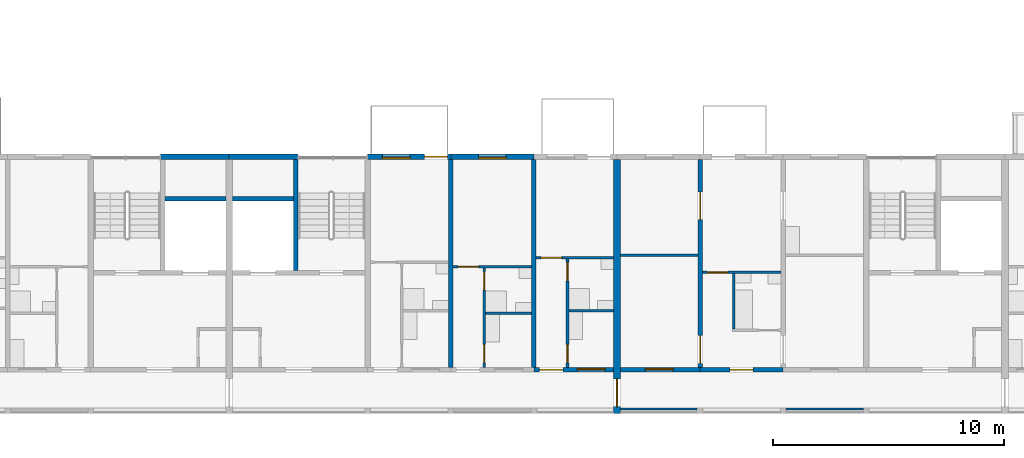
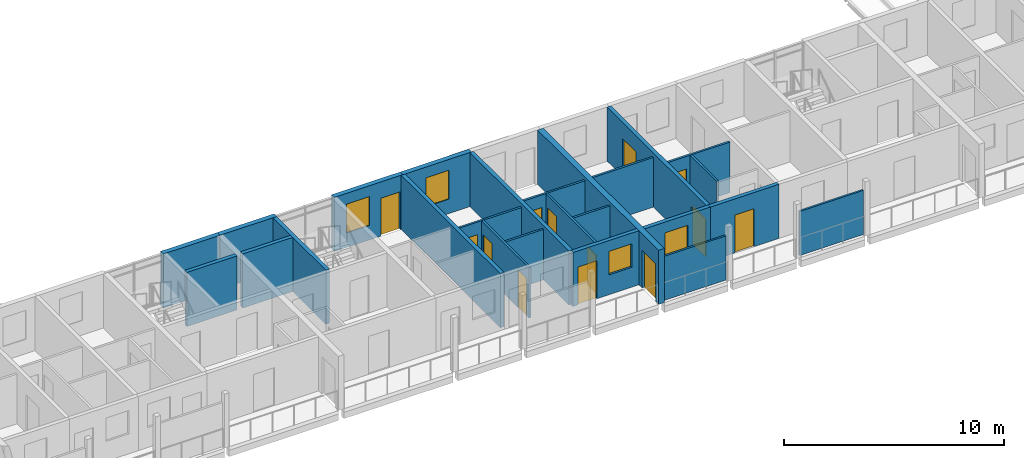
# One storey, part 39 of 87: 25 walls, 13 doors, 4 windows, 17 openings.
"""IFC4 building model written with IfcOpenShell, lengths in metres."""

from ifc_helpers import new_model, si_unit, direction, frame, frame_2d, origin, place, context, subcontext, project, spatial, rectangle, extrude, material, layer, layer_set, type_object, element, fill, save


model = new_model("IFC4")

# Units and contexts
model_context = context("Model", 3, precision=1e-05, world=origin(), true_north=direction((0.0, 1.0)))
body_context = subcontext(model_context, "Body", "Model", "MODEL_VIEW")
ifc_project = project(units=[si_unit("LENGTHUNIT", "METRE"), si_unit("AREAUNIT", "SQUARE_METRE"), si_unit("VOLUMEUNIT", "CUBIC_METRE"), si_unit("PLANEANGLEUNIT", "RADIAN"), si_unit("MASSUNIT", "GRAM", prefix="KILO")], contexts=[model_context])

# Site, building, storey
site_placement = place(None, origin())
site = spatial("IfcSite", under=ifc_project, at=site_placement, CompositionType="ELEMENT")
building_placement = place(site_placement, origin())
building = spatial("IfcBuilding", under=site, at=building_placement, Name="Ridgestep Commons", CompositionType="ELEMENT")
storey_placement = place(building_placement, frame((0.0, 0.0, 27.0)))
storey = spatial("IfcBuildingStorey", under=building, at=storey_placement, Name="L09", CompositionType="ELEMENT", Elevation=27.0)

# Walls
ifc_material_1 = material(Name="Concrete C30/37", Category="concrete")
ifc_layer_1 = layer(ifc_material_1, 0.199951171875)
ifc_layer_set_1 = layer_set([ifc_layer_1], Name="Core wall 200")
wall_type_1 = type_object("IfcWallType", Name="Core wall 200", PredefinedType="SHEAR", material=ifc_layer_set_1)
wall_1_placement = place(storey_placement, frame((42.824951171875, 21.050048828125, 0.0), z_axis=(0.0, 0.0, 1.0), x_axis=(1.0, 0.0, 0.0)))
element("IfcWall", 1, at=wall_1_placement, inside=storey, type_object=wall_type_1, Name="Core duct wall A2C L09", PredefinedType="SHEAR", context=body_context, shape_type="SweptSolid", body=[
    extrude(rectangle(XDim=2.625, YDim=0.199951171875, at=frame_2d((1.3125, 0.0))), origin(), (0.0, 0.0, 1.0), 3.0),
])
wall_2_placement = place(storey_placement, frame((48.47509765625, 17.949951171875, 0.0), z_axis=(0.0, 0.0, 1.0), x_axis=(0.0, 1.0, 0.0)))
element("IfcWall", 2, at=wall_2_placement, inside=storey, type_object=wall_type_1, Name="Core stair wall A3C L09", PredefinedType="SHEAR", context=body_context, shape_type="SweptSolid", body=[
    extrude(rectangle(XDim=4.800048828125, YDim=0.199951171875, at=frame_2d((2.39990234375, 0.0))), origin(), (0.0, 0.0, 1.0), 3.0),
])
wall_3_placement = place(storey_placement, frame((45.75, 21.050048828125, 0.0), z_axis=(0.0, 0.0, 1.0), x_axis=(1.0, 0.0, 0.0)))
element("IfcWall", 3, at=wall_3_placement, inside=storey, type_object=wall_type_1, Name="Core duct wall A3C L09", PredefinedType="SHEAR", context=body_context, shape_type="SweptSolid", body=[
    extrude(rectangle(XDim=2.625, YDim=0.199951171875, at=frame_2d((1.3125, 0.0))), origin(), (0.0, 0.0, 1.0), 3.0),
])
ifc_material_2 = material(Name="Precast concrete C40/50", Category="concrete")
ifc_layer_2 = layer(ifc_material_2, 0.199951171875)
ifc_layer_set_2 = layer_set([ifc_layer_2], Name="Cross wall 200")
wall_type_2 = type_object("IfcWallType", Name="Cross wall 200", PredefinedType="SHEAR", material=ifc_layer_set_2)
for number, where, z_axis, x_axis, name in (
    (4, (55.199951171875, 13.75, 0.0), (0.0, 0.0, 1.0), (0.0, 1.0, 0.0), "Cross wall A-09-0552"),
    (5, (58.800048828125, 13.75, 0.0), (0.0, 0.0, 1.0), (0.0, 1.0, 0.0), "Cross wall A-09-0588"),
):
    element("IfcWall", number, at=place(storey_placement, frame(where, z_axis=z_axis, x_axis=x_axis)), inside=storey, type_object=wall_type_2, Name=name, PredefinedType="SHEAR", context=body_context, shape_type="SweptSolid", body=[
        extrude(rectangle(XDim=9.0, YDim=0.199951171875, at=frame_2d((4.5, 0.0))), origin(), (0.0, 0.0, 1.0), 3.0),
    ])

# Wall, openings, doors
wall_4_placement = place(storey_placement, frame((66.0, 13.75, 0.0), z_axis=(0.0, 0.0, 1.0), x_axis=(0.0, 1.0, 0.0)))
wall_4 = element("IfcWall", 6, at=wall_4_placement, inside=storey, type_object=wall_type_2, Name="Cross wall A-09-0660", PredefinedType="SHEAR", context=body_context, shape_type="SweptSolid", body=[
    extrude(rectangle(XDim=9.0, YDim=0.199951171875, at=frame_2d((4.5, 0.0))), origin(), (0.0, 0.0, 1.0), 3.0),
])
opening_1_placement = place(wall_4_placement, frame((0.175048828125, 0.0, 0.0)))
opening_1 = element("IfcOpeningElement", 7, at=opening_1_placement, cuts=wall_4, Name="Opening A4-09a/4", PredefinedType="OPENING", context=body_context, shape_type="SweptSolid", body=[
    extrude(rectangle(XDim=1.199951171875, YDim=2.10009765625, at=frame_2d((0.60009765625, 1.050048828125))), frame((0.0, 0.10986328125, 0.0), z_axis=(0.0, -1.0, 0.0), x_axis=(1.0, 0.0, 0.0)), (0.0, 0.0, 1.0), 0.219970703125),
])
opening_2_placement = place(wall_4_placement, frame((6.39990234375, 0.0, 0.0)))
opening_2 = element("IfcOpeningElement", 8, at=opening_2_placement, cuts=wall_4, Name="Opening A4-09a/5", PredefinedType="OPENING", context=body_context, shape_type="SweptSolid", body=[
    extrude(rectangle(XDim=1.199951171875, YDim=2.10009765625, at=frame_2d((0.60009765625, 1.050048828125))), frame((0.0, 0.10986328125, 0.0), z_axis=(0.0, -1.0, 0.0), x_axis=(1.0, 0.0, 0.0)), (0.0, 0.0, 1.0), 0.219970703125),
])
ifc_material_3 = material(Name="Timber door leaf", Category="wood")
door_type_1 = type_object("IfcDoorType", Name="Double door 1200 x 2100", OperationType="DOUBLE_DOOR_SINGLE_SWING", PredefinedType="DOOR", material=ifc_material_3)
door_1_placement = place(opening_1_placement, origin())
door_1 = element("IfcDoor", 9, at=door_1_placement, inside=storey, type_object=door_type_1, Name="Double door A4-09a/4", OperationType="DOUBLE_DOOR_SINGLE_SWING", OverallHeight=2.10009765625, OverallWidth=1.199951171875, PredefinedType="DOOR", context=body_context, shape_type="SweptSolid", body=[
    extrude(rectangle(XDim=1.199951171875, YDim=2.10009765625, at=frame_2d((0.60009765625, 1.050048828125))), frame((0.0, 0.02490234375, 0.0), z_axis=(0.0, -1.0, 0.0), x_axis=(1.0, 0.0, 0.0)), (0.0, 0.0, 1.0), 0.050048828125),
])
fill(opening_1, door_1)
door_2_placement = place(opening_2_placement, origin())
door_2 = element("IfcDoor", 10, at=door_2_placement, inside=storey, type_object=door_type_1, Name="Double door A4-09a/5", OperationType="DOUBLE_DOOR_SINGLE_SWING", OverallHeight=2.10009765625, OverallWidth=1.199951171875, PredefinedType="DOOR", context=body_context, shape_type="SweptSolid", body=[
    extrude(rectangle(XDim=1.199951171875, YDim=2.10009765625, at=frame_2d((0.60009765625, 1.050048828125))), frame((0.0, 0.02490234375, 0.0), z_axis=(0.0, -1.0, 0.0), x_axis=(1.0, 0.0, 0.0)), (0.0, 0.0, 1.0), 0.050048828125),
])
fill(opening_2, door_2)

# Wall, opening, door
ifc_material_4 = material(Name="Precast concrete C40/50", Category="concrete")
ifc_layer_3 = layer(ifc_material_4, 0.300048828125)
ifc_layer_set_3 = layer_set([ifc_layer_3], Name="Division wall 300")
wall_type_3 = type_object("IfcWallType", Name="Division wall 300", PredefinedType="SHEAR", material=ifc_layer_set_3)
wall_5_placement = place(storey_placement, frame((62.39990234375, 11.75, 0.0), z_axis=(0.0, 0.0, 1.0), x_axis=(0.0, 1.0, 0.0)))
wall_5 = element("IfcWall", 11, at=wall_5_placement, inside=storey, type_object=wall_type_3, Name="Cross wall A-09-0624", PredefinedType="SHEAR", context=body_context, shape_type="SweptSolid", body=[
    extrude(rectangle(XDim=11.0, YDim=0.300048828125, at=frame_2d((5.5, 0.0))), origin(), (0.0, 0.0, 1.0), 3.0),
])
opening_3_placement = place(wall_5_placement, frame((0.300048828125, 0.0, 0.0)))
opening_3 = element("IfcOpeningElement", 12, at=opening_3_placement, cuts=wall_5, Name="Opening A/09/G0624", PredefinedType="OPENING", context=body_context, shape_type="SweptSolid", body=[
    extrude(rectangle(XDim=1.199951171875, YDim=2.10009765625, at=frame_2d((0.60009765625, 1.050048828125))), frame((0.0, 0.159912109375, 0.0), z_axis=(0.0, -1.0, 0.0), x_axis=(1.0, 0.0, 0.0)), (0.0, 0.0, 1.0), 0.320068359375),
])
ifc_material_5 = material(Name="Steel fire door", Category="steel")
door_type_2 = type_object("IfcDoorType", Name="Division fire door 1200 x 2100 EI 240", OperationType="DOUBLE_DOOR_SINGLE_SWING", PredefinedType="DOOR", material=ifc_material_5)
door_3_placement = place(opening_3_placement, origin())
door_3 = element("IfcDoor", 13, at=door_3_placement, inside=storey, type_object=door_type_2, Name="Division fire door A/09/G0624", OperationType="DOUBLE_DOOR_SINGLE_SWING", OverallHeight=2.10009765625, OverallWidth=1.199951171875, PredefinedType="DOOR", context=body_context, shape_type="SweptSolid", body=[
    extrude(rectangle(XDim=1.199951171875, YDim=2.10009765625, at=frame_2d((0.60009765625, 1.050048828125))), frame((0.0, 0.02490234375, 0.0), z_axis=(0.0, -1.0, 0.0), x_axis=(1.0, 0.0, 0.0)), (0.0, 0.0, 1.0), 0.050048828125),
])
fill(opening_3, door_3)

# Walls
ifc_material_6 = material(Name="Precast concrete C40/50", Category="concrete")
ifc_layer_4 = layer(ifc_material_6, 0.25)
ifc_layer_set_4 = layer_set([ifc_layer_4], Name="North facade panel 250")
wall_type_4 = type_object("IfcWallType", Name="North facade panel 250", PredefinedType="SOLIDWALL", material=ifc_layer_set_4)
wall_6_placement = place(storey_placement, frame((42.625, 22.875, 0.0), z_axis=(0.0, 0.0, 1.0), x_axis=(1.0, 0.0, 0.0)))
element("IfcWall", 14, at=wall_6_placement, inside=storey, type_object=wall_type_4, Name="North panel A2C L09", PredefinedType="SOLIDWALL", context=body_context, shape_type="SweptSolid", body=[
    extrude(rectangle(XDim=2.97509765625, YDim=0.25, at=frame_2d((1.487548828125, 0.0))), origin(), (0.0, 0.0, 1.0), 3.0),
])
wall_7_placement = place(storey_placement, frame((45.60009765625, 22.875, 0.0), z_axis=(0.0, 0.0, 1.0), x_axis=(1.0, 0.0, 0.0)))
element("IfcWall", 15, at=wall_7_placement, inside=storey, type_object=wall_type_4, Name="North panel A3C L09", PredefinedType="SOLIDWALL", context=body_context, shape_type="SweptSolid", body=[
    extrude(rectangle(XDim=2.974853515625, YDim=0.25, at=frame_2d((1.4873046875, 0.0))), origin(), (0.0, 0.0, 1.0), 3.0),
])

# Wall, openings, door, window
wall_8_placement = place(storey_placement, frame((51.60009765625, 22.875, 0.0), z_axis=(0.0, 0.0, 1.0), x_axis=(1.0, 0.0, 0.0)))
wall_8 = element("IfcWall", 16, at=wall_8_placement, inside=storey, type_object=wall_type_4, Name="North panel A3T3 L09", PredefinedType="SOLIDWALL", context=body_context, shape_type="SweptSolid", body=[
    extrude(rectangle(XDim=3.599853515625, YDim=0.25, at=frame_2d((1.7998046875, 0.0))), origin(), (0.0, 0.0, 1.0), 3.0),
])
opening_4_placement = place(wall_8_placement, frame((0.637451171875, 0.0, 0.800048828125)))
opening_4 = element("IfcOpeningElement", 17, at=opening_4_placement, cuts=wall_8, Name="Opening W11", PredefinedType="OPENING", context=body_context, shape_type="SweptSolid", body=[
    extrude(rectangle(XDim=1.199951171875, YDim=1.60009765625, at=frame_2d((0.60009765625, 0.800048828125))), frame((0.0, 0.135009765625, 0.0), z_axis=(0.0, -1.0, 0.0), x_axis=(1.0, 0.0, 0.0)), (0.0, 0.0, 1.0), 0.27001953125),
])
opening_5_placement = place(wall_8_placement, frame((2.449951171875, 0.0, 0.0)))
opening_5 = element("IfcOpeningElement", 18, at=opening_5_placement, cuts=wall_8, Name="Opening A3-09c/5", PredefinedType="OPENING", context=body_context, shape_type="SweptSolid", body=[
    extrude(rectangle(XDim=1.0, YDim=2.10009765625, at=frame_2d((0.5, 1.050048828125))), frame((0.0, 0.135009765625, 0.0), z_axis=(0.0, -1.0, 0.0), x_axis=(1.0, 0.0, 0.0)), (0.0, 0.0, 1.0), 0.27001953125),
])
ifc_material_7 = material(Name="Aluminium and glass", Category="aluminium")
door_type_3 = type_object("IfcDoorType", Name="Balcony door 1000 x 2100", OperationType="NOTDEFINED", PredefinedType="DOOR", material=ifc_material_7)
door_4_placement = place(opening_5_placement, origin())
door_4 = element("IfcDoor", 19, at=door_4_placement, inside=storey, type_object=door_type_3, Name="Balcony door A3-09c/5", OperationType="SINGLE_SWING_LEFT", OverallHeight=2.10009765625, OverallWidth=1.0, PredefinedType="DOOR", context=body_context, shape_type="SweptSolid", body=[
    extrude(rectangle(XDim=1.0, YDim=2.10009765625, at=frame_2d((0.5, 1.050048828125))), frame((0.0, 0.02490234375, 0.0), z_axis=(0.0, -1.0, 0.0), x_axis=(1.0, 0.0, 0.0)), (0.0, 0.0, 1.0), 0.050048828125),
])
fill(opening_5, door_4)
ifc_material_8 = material(Name="Aluminium 6063-T6 and glass", Category="aluminium")
window_type_1 = type_object("IfcWindowType", Name="Flat window 1200 x 1600", PartitioningType="SINGLE_PANEL", PredefinedType="WINDOW", material=ifc_material_8)
window_1_placement = place(opening_4_placement, origin())
window_1 = element("IfcWindow", 20, at=window_1_placement, inside=storey, type_object=window_type_1, Name="Window A3-09c 2", OverallHeight=1.60009765625, OverallWidth=1.199951171875, PartitioningType="SINGLE_PANEL", PredefinedType="WINDOW", context=body_context, shape_type="SweptSolid", body=[
    extrude(rectangle(XDim=1.199951171875, YDim=1.60009765625, at=frame_2d((0.60009765625, 0.800048828125))), frame((0.0, -0.02490234375, 0.0), z_axis=(0.0, -1.0, 0.0), x_axis=(1.0, 0.0, 0.0)), (0.0, 0.0, 1.0), 0.06005859375),
])
fill(opening_4, window_1)

# Wall, opening, window
wall_9_placement = place(storey_placement, frame((55.199951171875, 22.875, 0.0), z_axis=(0.0, 0.0, 1.0), x_axis=(1.0, 0.0, 0.0)))
wall_9 = element("IfcWall", 21, at=wall_9_placement, inside=storey, type_object=wall_type_4, Name="North panel A3T2 L09", PredefinedType="SOLIDWALL", context=body_context, shape_type="SweptSolid", body=[
    extrude(rectangle(XDim=3.60009765625, YDim=0.25, at=frame_2d((1.800048828125, 0.0))), origin(), (0.0, 0.0, 1.0), 3.0),
])
opening_6_placement = place(wall_9_placement, frame((1.199951171875, 0.0, 0.800048828125)))
opening_6 = element("IfcOpeningElement", 22, at=opening_6_placement, cuts=wall_9, Name="Opening W11", PredefinedType="OPENING", context=body_context, shape_type="SweptSolid", body=[
    extrude(rectangle(XDim=1.199951171875, YDim=1.60009765625, at=frame_2d((0.60009765625, 0.800048828125))), frame((0.0, 0.135009765625, 0.0), z_axis=(0.0, -1.0, 0.0), x_axis=(1.0, 0.0, 0.0)), (0.0, 0.0, 1.0), 0.27001953125),
])
window_2_placement = place(opening_6_placement, origin())
window_2 = element("IfcWindow", 23, at=window_2_placement, inside=storey, type_object=window_type_1, Name="Window A3-09b 2", OverallHeight=1.60009765625, OverallWidth=1.199951171875, PartitioningType="SINGLE_PANEL", PredefinedType="WINDOW", context=body_context, shape_type="SweptSolid", body=[
    extrude(rectangle(XDim=1.199951171875, YDim=1.60009765625, at=frame_2d((0.60009765625, 0.800048828125))), frame((0.0, -0.02490234375, 0.0), z_axis=(0.0, -1.0, 0.0), x_axis=(1.0, 0.0, 0.0)), (0.0, 0.0, 1.0), 0.06005859375),
])
fill(opening_6, window_2)

# Wall, openings, doors
ifc_material_9 = material(Name="Common brick 110 mm", Category="masonry")
ifc_layer_5 = layer(ifc_material_9, 0.110107421875)
ifc_layer_set_5 = layer_set([ifc_layer_5], Name="Partition 110")
wall_type_5 = type_object("IfcWallType", Name="Partition 110", PredefinedType="PARTITIONING", material=ifc_layer_set_5)
wall_10_placement = place(storey_placement, frame((60.2548828125, 13.75, 0.0), z_axis=(0.0, 0.0, 1.0), x_axis=(0.0, 1.0, 0.0)))
wall_10 = element("IfcWall", 24, at=wall_10_placement, inside=storey, type_object=wall_type_5, Name="Partition A3-09a", PredefinedType="PARTITIONING", context=body_context, shape_type="SweptSolid", body=[
    extrude(rectangle(XDim=4.699951171875, YDim=0.110107421875, at=frame_2d((2.35009765625, 0.0))), origin(), (0.0, 0.0, 1.0), 2.800048828125),
])
opening_7_placement = place(wall_10_placement, frame((0.199951171875, 0.0, 0.0)))
opening_7 = element("IfcOpeningElement", 25, at=opening_7_placement, cuts=wall_10, Name="Opening A3-09a/2", PredefinedType="OPENING", context=body_context, shape_type="SweptSolid", body=[
    extrude(rectangle(XDim=0.800048828125, YDim=2.10009765625, at=frame_2d((0.39990234375, 1.050048828125))), frame((0.0, 0.06494140625, 0.0), z_axis=(0.0, -1.0, 0.0), x_axis=(1.0, 0.0, 0.0)), (0.0, 0.0, 1.0), 0.130126953125),
])
opening_8_placement = place(wall_10_placement, frame((3.75, 0.0, 0.0)))
opening_8 = element("IfcOpeningElement", 26, at=opening_8_placement, cuts=wall_10, Name="Opening A3-09a/3", PredefinedType="OPENING", context=body_context, shape_type="SweptSolid", body=[
    extrude(rectangle(XDim=0.800048828125, YDim=2.10009765625, at=frame_2d((0.39990234375, 1.050048828125))), frame((0.0, 0.06494140625, 0.0), z_axis=(0.0, -1.0, 0.0), x_axis=(1.0, 0.0, 0.0)), (0.0, 0.0, 1.0), 0.130126953125),
])
ifc_material_10 = material(Name="Timber door leaf", Category="wood")
door_type_4 = type_object("IfcDoorType", Name="Internal door 800 x 2100", OperationType="NOTDEFINED", PredefinedType="DOOR", material=ifc_material_10)
door_5_placement = place(opening_7_placement, origin())
door_5 = element("IfcDoor", 27, at=door_5_placement, inside=storey, type_object=door_type_4, Name="Internal door A3-09a/2", OperationType="SINGLE_SWING_RIGHT", OverallHeight=2.10009765625, OverallWidth=0.800048828125, PredefinedType="DOOR", context=body_context, shape_type="SweptSolid", body=[
    extrude(rectangle(XDim=0.800048828125, YDim=2.10009765625, at=frame_2d((0.39990234375, 1.050048828125))), frame((0.0, 0.02490234375, 0.0), z_axis=(0.0, -1.0, 0.0), x_axis=(1.0, 0.0, 0.0)), (0.0, 0.0, 1.0), 0.050048828125),
])
fill(opening_7, door_5)
door_6_placement = place(opening_8_placement, origin())
door_6 = element("IfcDoor", 28, at=door_6_placement, inside=storey, type_object=door_type_4, Name="Internal door A3-09a/3", OperationType="SINGLE_SWING_LEFT", OverallHeight=2.10009765625, OverallWidth=0.800048828125, PredefinedType="DOOR", context=body_context, shape_type="SweptSolid", body=[
    extrude(rectangle(XDim=0.800048828125, YDim=2.10009765625, at=frame_2d((0.39990234375, 1.050048828125))), frame((0.0, 0.02490234375, 0.0), z_axis=(0.0, -1.0, 0.0), x_axis=(1.0, 0.0, 0.0)), (0.0, 0.0, 1.0), 0.050048828125),
])
fill(opening_8, door_6)

# Wall
wall_11_placement = place(storey_placement, frame((60.31005859375, 16.205078125, 0.0), z_axis=(0.0, 0.0, 1.0), x_axis=(1.0, 0.0, 0.0)))
element("IfcWall", 29, at=wall_11_placement, inside=storey, type_object=wall_type_5, Name="Partition A3-09a", PredefinedType="PARTITIONING", context=body_context, shape_type="SweptSolid", body=[
    extrude(rectangle(XDim=1.93994140625, YDim=0.110107421875, at=frame_2d((0.969970703125, 0.0))), origin(), (0.0, 0.0, 1.0), 2.800048828125),
])

# Wall, opening, door
wall_12_placement = place(storey_placement, frame((58.89990234375, 18.5048828125, 0.0), z_axis=(0.0, 0.0, 1.0), x_axis=(1.0, 0.0, 0.0)))
wall_12 = element("IfcWall", 30, at=wall_12_placement, inside=storey, type_object=wall_type_5, Name="Partition A3-09a", PredefinedType="PARTITIONING", context=body_context, shape_type="SweptSolid", body=[
    extrude(rectangle(XDim=3.35009765625, YDim=0.110107421875, at=frame_2d((1.675048828125, 0.0))), origin(), (0.0, 0.0, 1.0), 2.800048828125),
])
opening_9_placement = place(wall_12_placement, frame((0.199951171875, 0.0, 0.0)))
opening_9 = element("IfcOpeningElement", 31, at=opening_9_placement, cuts=wall_12, Name="Opening A3-09a/4", PredefinedType="OPENING", context=body_context, shape_type="SweptSolid", body=[
    extrude(rectangle(XDim=0.89990234375, YDim=2.10009765625, at=frame_2d((0.449951171875, 1.050048828125))), frame((0.0, 0.06494140625, 0.0), z_axis=(0.0, -1.0, 0.0), x_axis=(1.0, 0.0, 0.0)), (0.0, 0.0, 1.0), 0.130126953125),
])
ifc_material_11 = material(Name="Timber door leaf", Category="wood")
door_type_5 = type_object("IfcDoorType", Name="Internal door 900 x 2100", OperationType="NOTDEFINED", PredefinedType="DOOR", material=ifc_material_11)
door_7_placement = place(opening_9_placement, origin())
door_7 = element("IfcDoor", 32, at=door_7_placement, inside=storey, type_object=door_type_5, Name="Internal door A3-09a/4", OperationType="SINGLE_SWING_LEFT", OverallHeight=2.10009765625, OverallWidth=0.89990234375, PredefinedType="DOOR", context=body_context, shape_type="SweptSolid", body=[
    extrude(rectangle(XDim=0.89990234375, YDim=2.10009765625, at=frame_2d((0.449951171875, 1.050048828125))), frame((0.0, 0.02490234375, 0.0), z_axis=(0.0, -1.0, 0.0), x_axis=(1.0, 0.0, 0.0)), (0.0, 0.0, 1.0), 0.050048828125),
])
fill(opening_9, door_7)

# Wall, openings, doors
wall_13_placement = place(storey_placement, frame((56.655029296875, 13.75, 0.0), z_axis=(0.0, 0.0, 1.0), x_axis=(0.0, 1.0, 0.0)))
wall_13 = element("IfcWall", 33, at=wall_13_placement, inside=storey, type_object=wall_type_5, Name="Partition A3-09b", PredefinedType="PARTITIONING", context=body_context, shape_type="SweptSolid", body=[
    extrude(rectangle(XDim=4.300048828125, YDim=0.110107421875, at=frame_2d((2.14990234375, 0.0))), origin(), (0.0, 0.0, 1.0), 2.800048828125),
])
opening_10_placement = place(wall_13_placement, frame((0.199951171875, 0.0, 0.0)))
opening_10 = element("IfcOpeningElement", 34, at=opening_10_placement, cuts=wall_13, Name="Opening A3-09b/2", PredefinedType="OPENING", context=body_context, shape_type="SweptSolid", body=[
    extrude(rectangle(XDim=0.800048828125, YDim=2.10009765625, at=frame_2d((0.39990234375, 1.050048828125))), frame((0.0, 0.06494140625, 0.0), z_axis=(0.0, -1.0, 0.0), x_axis=(1.0, 0.0, 0.0)), (0.0, 0.0, 1.0), 0.130126953125),
])
opening_11_placement = place(wall_13_placement, frame((3.35009765625, 0.0, 0.0)))
opening_11 = element("IfcOpeningElement", 35, at=opening_11_placement, cuts=wall_13, Name="Opening A3-09b/3", PredefinedType="OPENING", context=body_context, shape_type="SweptSolid", body=[
    extrude(rectangle(XDim=0.800048828125, YDim=2.10009765625, at=frame_2d((0.39990234375, 1.050048828125))), frame((0.0, 0.06494140625, 0.0), z_axis=(0.0, -1.0, 0.0), x_axis=(1.0, 0.0, 0.0)), (0.0, 0.0, 1.0), 0.130126953125),
])
door_8_placement = place(opening_10_placement, origin())
door_8 = element("IfcDoor", 36, at=door_8_placement, inside=storey, type_object=door_type_4, Name="Internal door A3-09b/2", OperationType="SINGLE_SWING_RIGHT", OverallHeight=2.10009765625, OverallWidth=0.800048828125, PredefinedType="DOOR", context=body_context, shape_type="SweptSolid", body=[
    extrude(rectangle(XDim=0.800048828125, YDim=2.10009765625, at=frame_2d((0.39990234375, 1.050048828125))), frame((0.0, 0.02490234375, 0.0), z_axis=(0.0, -1.0, 0.0), x_axis=(1.0, 0.0, 0.0)), (0.0, 0.0, 1.0), 0.050048828125),
])
fill(opening_10, door_8)
door_9_placement = place(opening_11_placement, origin())
door_9 = element("IfcDoor", 37, at=door_9_placement, inside=storey, type_object=door_type_4, Name="Internal door A3-09b/3", OperationType="SINGLE_SWING_LEFT", OverallHeight=2.10009765625, OverallWidth=0.800048828125, PredefinedType="DOOR", context=body_context, shape_type="SweptSolid", body=[
    extrude(rectangle(XDim=0.800048828125, YDim=2.10009765625, at=frame_2d((0.39990234375, 1.050048828125))), frame((0.0, 0.02490234375, 0.0), z_axis=(0.0, -1.0, 0.0), x_axis=(1.0, 0.0, 0.0)), (0.0, 0.0, 1.0), 0.050048828125),
])
fill(opening_11, door_9)

# Wall
wall_14_placement = place(storey_placement, frame((56.7099609375, 16.10498046875, 0.0), z_axis=(0.0, 0.0, 1.0), x_axis=(1.0, 0.0, 0.0)))
element("IfcWall", 38, at=wall_14_placement, inside=storey, type_object=wall_type_5, Name="Partition A3-09b", PredefinedType="PARTITIONING", context=body_context, shape_type="SweptSolid", body=[
    extrude(rectangle(XDim=1.989990234375, YDim=0.110107421875, at=frame_2d((0.9951171875, 0.0))), origin(), (0.0, 0.0, 1.0), 2.800048828125),
])

# Wall, opening, door
wall_15_placement = place(storey_placement, frame((55.300048828125, 18.10498046875, 0.0), z_axis=(0.0, 0.0, 1.0), x_axis=(1.0, 0.0, 0.0)))
wall_15 = element("IfcWall", 39, at=wall_15_placement, inside=storey, type_object=wall_type_5, Name="Partition A3-09b", PredefinedType="PARTITIONING", context=body_context, shape_type="SweptSolid", body=[
    extrude(rectangle(XDim=3.39990234375, YDim=0.110107421875, at=frame_2d((1.699951171875, 0.0))), origin(), (0.0, 0.0, 1.0), 2.800048828125),
])
opening_12_placement = place(wall_15_placement, frame((0.199951171875, 0.0, 0.0)))
opening_12 = element("IfcOpeningElement", 40, at=opening_12_placement, cuts=wall_15, Name="Opening A3-09b/4", PredefinedType="OPENING", context=body_context, shape_type="SweptSolid", body=[
    extrude(rectangle(XDim=0.89990234375, YDim=2.10009765625, at=frame_2d((0.449951171875, 1.050048828125))), frame((0.0, 0.06494140625, 0.0), z_axis=(0.0, -1.0, 0.0), x_axis=(1.0, 0.0, 0.0)), (0.0, 0.0, 1.0), 0.130126953125),
])
door_10_placement = place(opening_12_placement, origin())
door_10 = element("IfcDoor", 41, at=door_10_placement, inside=storey, type_object=door_type_5, Name="Internal door A3-09b/4", OperationType="SINGLE_SWING_LEFT", OverallHeight=2.10009765625, OverallWidth=0.89990234375, PredefinedType="DOOR", context=body_context, shape_type="SweptSolid", body=[
    extrude(rectangle(XDim=0.89990234375, YDim=2.10009765625, at=frame_2d((0.449951171875, 1.050048828125))), frame((0.0, 0.02490234375, 0.0), z_axis=(0.0, -1.0, 0.0), x_axis=(1.0, 0.0, 0.0)), (0.0, 0.0, 1.0), 0.050048828125),
])
fill(opening_12, door_10)

# Wall
wall_16_placement = place(storey_placement, frame((67.455078125, 15.409912109375, 0.0), z_axis=(0.0, 0.0, 1.0), x_axis=(0.0, 1.0, 0.0)))
element("IfcWall", 42, at=wall_16_placement, inside=storey, type_object=wall_type_5, Name="Partition A4-09a", PredefinedType="PARTITIONING", context=body_context, shape_type="SweptSolid", body=[
    extrude(rectangle(XDim=2.400146484375, YDim=0.110107421875, at=frame_2d((1.2001953125, 0.0))), origin(), (0.0, 0.0, 1.0), 2.800048828125),
])

# Wall, opening, door
wall_17_placement = place(storey_placement, frame((66.10009765625, 17.864990234375, 0.0), z_axis=(0.0, 0.0, 1.0), x_axis=(1.0, 0.0, 0.0)))
wall_17 = element("IfcWall", 43, at=wall_17_placement, inside=storey, type_object=wall_type_5, Name="Partition A4-09a", PredefinedType="PARTITIONING", context=body_context, shape_type="SweptSolid", body=[
    extrude(rectangle(XDim=3.39990234375, YDim=0.110107421875, at=frame_2d((1.699951171875, 0.0))), origin(), (0.0, 0.0, 1.0), 2.800048828125),
])
opening_13_placement = place(wall_17_placement, frame((0.199951171875, 0.0, 0.0)))
opening_13 = element("IfcOpeningElement", 44, at=opening_13_placement, cuts=wall_17, Name="Opening A4-09a/3", PredefinedType="OPENING", context=body_context, shape_type="SweptSolid", body=[
    extrude(rectangle(XDim=0.89990234375, YDim=2.10009765625, at=frame_2d((0.449951171875, 1.050048828125))), frame((0.0, 0.06494140625, 0.0), z_axis=(0.0, -1.0, 0.0), x_axis=(1.0, 0.0, 0.0)), (0.0, 0.0, 1.0), 0.130126953125),
])
door_11_placement = place(opening_13_placement, origin())
door_11 = element("IfcDoor", 45, at=door_11_placement, inside=storey, type_object=door_type_5, Name="Internal door A4-09a/3", OperationType="SINGLE_SWING_RIGHT", OverallHeight=2.10009765625, OverallWidth=0.89990234375, PredefinedType="DOOR", context=body_context, shape_type="SweptSolid", body=[
    extrude(rectangle(XDim=0.89990234375, YDim=2.10009765625, at=frame_2d((0.449951171875, 1.050048828125))), frame((0.0, 0.02490234375, 0.0), z_axis=(0.0, -1.0, 0.0), x_axis=(1.0, 0.0, 0.0)), (0.0, 0.0, 1.0), 0.050048828125),
])
fill(opening_13, door_11)

# Walls
wall_18_placement = place(storey_placement, frame((62.550048828125, 18.60498046875, 0.0), z_axis=(0.0, 0.0, 1.0), x_axis=(1.0, 0.0, 0.0)))
element("IfcWall", 46, at=wall_18_placement, inside=storey, type_object=wall_type_5, Name="Partition A4-09a", PredefinedType="PARTITIONING", context=body_context, shape_type="SweptSolid", body=[
    extrude(rectangle(XDim=3.349853515625, YDim=0.110107421875, at=frame_2d((1.6748046875, 0.0))), origin(), (0.0, 0.0, 1.0), 2.75),
])
ifc_material_12 = material(Name="Precast concrete C30/37", Category="concrete")
ifc_layer_6 = layer(ifc_material_12, 0.10009765625)
ifc_layer_set_6 = layer_set([ifc_layer_6], Name="Perforated gallery screen 3325 x 2450 x 100")
wall_type_6 = type_object("IfcWallType", Name="Perforated gallery screen 3325 x 2450 x 100", PredefinedType="SOLIDWALL", material=ifc_layer_set_6)
wall_19_placement = place(storey_placement, frame((62.550048828125, 11.949951171875, 0.0), z_axis=(0.0, 0.0, 1.0), x_axis=(1.0, 0.0, 0.0)))
element("IfcWall", 47, at=wall_19_placement, inside=storey, type_object=wall_type_6, Name="Gallery screen A4T1 09", PredefinedType="SOLIDWALL", context=body_context, shape_type="SweptSolid", body=[
    extrude(rectangle(XDim=3.324951171875, YDim=0.10009765625, at=frame_2d((1.66259765625, 0.0))), origin(), (0.0, 0.0, 1.0), 2.449951171875),
])
ifc_material_13 = material(Name="Precast concrete C30/37", Category="concrete")
ifc_layer_7 = layer(ifc_material_13, 0.10009765625)
ifc_layer_set_7 = layer_set([ifc_layer_7], Name="Perforated gallery screen 3350 x 2450 x 100")
wall_type_7 = type_object("IfcWallType", Name="Perforated gallery screen 3350 x 2450 x 100", PredefinedType="SOLIDWALL", material=ifc_layer_set_7)
wall_20_placement = place(storey_placement, frame((69.72509765625, 11.949951171875, 0.0), z_axis=(0.0, 0.0, 1.0), x_axis=(1.0, 0.0, 0.0)))
element("IfcWall", 48, at=wall_20_placement, inside=storey, type_object=wall_type_7, Name="Gallery screen A4T3 09", PredefinedType="SOLIDWALL", context=body_context, shape_type="SweptSolid", body=[
    extrude(rectangle(XDim=3.349853515625, YDim=0.10009765625, at=frame_2d((1.6748046875, 0.0))), origin(), (0.0, 0.0, 1.0), 2.449951171875),
])

# Wall, openings, door, window
ifc_material_14 = material(Name="Precast concrete C40/50", Category="concrete")
ifc_layer_8 = layer(ifc_material_14, 0.199951171875)
ifc_layer_set_8 = layer_set([ifc_layer_8], Name="South facade panel 200")
wall_type_8 = type_object("IfcWallType", Name="South facade panel 200", PredefinedType="SOLIDWALL", material=ifc_layer_set_8)
wall_21_placement = place(storey_placement, frame((58.800048828125, 13.64990234375, 0.0), z_axis=(0.0, 0.0, 1.0), x_axis=(1.0, 0.0, 0.0)))
wall_21 = element("IfcWall", 49, at=wall_21_placement, inside=storey, type_object=wall_type_8, Name="South panel A3T1 L09", PredefinedType="SOLIDWALL", context=body_context, shape_type="SweptSolid", body=[
    extrude(rectangle(XDim=3.449951171875, YDim=0.199951171875, at=frame_2d((1.72509765625, 0.0))), origin(), (0.0, 0.0, 1.0), 3.0),
])
opening_14_placement = place(wall_21_placement, frame((1.8798828125, 0.0, 1.10009765625)))
opening_14 = element("IfcOpeningElement", 50, at=opening_14_placement, cuts=wall_21, Name="Opening W08", PredefinedType="OPENING", context=body_context, shape_type="SweptSolid", body=[
    extrude(rectangle(XDim=1.199951171875, YDim=1.300048828125, at=frame_2d((0.60009765625, 0.64990234375))), frame((0.0, 0.10986328125, 0.0), z_axis=(0.0, -1.0, 0.0), x_axis=(1.0, 0.0, 0.0)), (0.0, 0.0, 1.0), 0.219970703125),
])
opening_15_placement = place(wall_21_placement, frame((0.25, 0.0, 0.0)))
opening_15 = element("IfcOpeningElement", 51, at=opening_15_placement, cuts=wall_21, Name="Opening A3-09a/1", PredefinedType="OPENING", context=body_context, shape_type="SweptSolid", body=[
    extrude(rectangle(XDim=1.0, YDim=2.10009765625, at=frame_2d((0.5, 1.050048828125))), frame((0.0, 0.10986328125, 0.0), z_axis=(0.0, -1.0, 0.0), x_axis=(1.0, 0.0, 0.0)), (0.0, 0.0, 1.0), 0.219970703125),
])
ifc_material_15 = material(Name="Timber door leaf", Category="wood")
door_type_6 = type_object("IfcDoorType", Name="Flat entrance door 1000 x 2100 FD30S", OperationType="NOTDEFINED", PredefinedType="DOOR", material=ifc_material_15)
door_12_placement = place(opening_15_placement, origin())
door_12 = element("IfcDoor", 52, at=door_12_placement, inside=storey, type_object=door_type_6, Name="Flat entrance door A3-09a/1", OperationType="SINGLE_SWING_LEFT", OverallHeight=2.10009765625, OverallWidth=1.0, PredefinedType="DOOR", context=body_context, shape_type="SweptSolid", body=[
    extrude(rectangle(XDim=1.0, YDim=2.10009765625, at=frame_2d((0.5, 1.050048828125))), frame((0.0, 0.02490234375, 0.0), z_axis=(0.0, -1.0, 0.0), x_axis=(1.0, 0.0, 0.0)), (0.0, 0.0, 1.0), 0.050048828125),
])
fill(opening_15, door_12)
ifc_material_16 = material(Name="Aluminium 6063-T6 and glass", Category="aluminium")
window_type_2 = type_object("IfcWindowType", Name="Flat window 1200 x 1300", PartitioningType="SINGLE_PANEL", PredefinedType="WINDOW", material=ifc_material_16)
window_3_placement = place(opening_14_placement, origin())
window_3 = element("IfcWindow", 53, at=window_3_placement, inside=storey, type_object=window_type_2, Name="Window A3-09a 1", OverallHeight=1.300048828125, OverallWidth=1.199951171875, PartitioningType="SINGLE_PANEL", PredefinedType="WINDOW", context=body_context, shape_type="SweptSolid", body=[
    extrude(rectangle(XDim=1.199951171875, YDim=1.300048828125, at=frame_2d((0.60009765625, 0.64990234375))), frame((0.0, 0.06005859375, 0.0), z_axis=(0.0, -1.0, 0.0), x_axis=(1.0, 0.0, 0.0)), (0.0, 0.0, 1.0), 0.06005859375),
])
fill(opening_14, window_3)

# Wall, opening, window
wall_22_placement = place(storey_placement, frame((62.550048828125, 13.64990234375, 0.0), z_axis=(0.0, 0.0, 1.0), x_axis=(1.0, 0.0, 0.0)))
wall_22 = element("IfcWall", 54, at=wall_22_placement, inside=storey, type_object=wall_type_8, Name="South panel A4T1 L09", PredefinedType="SOLIDWALL", context=body_context, shape_type="SweptSolid", body=[
    extrude(rectangle(XDim=3.449951171875, YDim=0.199951171875, at=frame_2d((1.72509765625, 0.0))), origin(), (0.0, 0.0, 1.0), 3.0),
])
opening_16_placement = place(wall_22_placement, frame((1.074951171875, 0.0, 0.800048828125)))
opening_16 = element("IfcOpeningElement", 55, at=opening_16_placement, cuts=wall_22, Name="Opening W11", PredefinedType="OPENING", context=body_context, shape_type="SweptSolid", body=[
    extrude(rectangle(XDim=1.199951171875, YDim=1.60009765625, at=frame_2d((0.60009765625, 0.800048828125))), frame((0.0, 0.10986328125, 0.0), z_axis=(0.0, -1.0, 0.0), x_axis=(1.0, 0.0, 0.0)), (0.0, 0.0, 1.0), 0.219970703125),
])
window_4_placement = place(opening_16_placement, origin())
window_4 = element("IfcWindow", 56, at=window_4_placement, inside=storey, type_object=window_type_1, Name="Window A4-09a 1", OverallHeight=1.60009765625, OverallWidth=1.199951171875, PartitioningType="SINGLE_PANEL", PredefinedType="WINDOW", context=body_context, shape_type="SweptSolid", body=[
    extrude(rectangle(XDim=1.199951171875, YDim=1.60009765625, at=frame_2d((0.60009765625, 0.800048828125))), frame((0.0, 0.06005859375, 0.0), z_axis=(0.0, -1.0, 0.0), x_axis=(1.0, 0.0, 0.0)), (0.0, 0.0, 1.0), 0.06005859375),
])
fill(opening_16, window_4)

# Wall, opening, door
wall_23_placement = place(storey_placement, frame((66.0, 13.64990234375, 0.0), z_axis=(0.0, 0.0, 1.0), x_axis=(1.0, 0.0, 0.0)))
wall_23 = element("IfcWall", 57, at=wall_23_placement, inside=storey, type_object=wall_type_8, Name="South panel A4T2 L09", PredefinedType="SOLIDWALL", context=body_context, shape_type="SweptSolid", body=[
    extrude(rectangle(XDim=3.60009765625, YDim=0.199951171875, at=frame_2d((1.800048828125, 0.0))), origin(), (0.0, 0.0, 1.0), 3.0),
])
opening_17_placement = place(wall_23_placement, frame((1.300048828125, 0.0, 0.0)))
opening_17 = element("IfcOpeningElement", 58, at=opening_17_placement, cuts=wall_23, Name="Opening A4-09a/1", PredefinedType="OPENING", context=body_context, shape_type="SweptSolid", body=[
    extrude(rectangle(XDim=1.0, YDim=2.10009765625, at=frame_2d((0.5, 1.050048828125))), frame((0.0, 0.10986328125, 0.0), z_axis=(0.0, -1.0, 0.0), x_axis=(1.0, 0.0, 0.0)), (0.0, 0.0, 1.0), 0.219970703125),
])
door_13_placement = place(opening_17_placement, origin())
door_13 = element("IfcDoor", 59, at=door_13_placement, inside=storey, type_object=door_type_6, Name="Flat entrance door A4-09a/1", OperationType="SINGLE_SWING_LEFT", OverallHeight=2.10009765625, OverallWidth=1.0, PredefinedType="DOOR", context=body_context, shape_type="SweptSolid", body=[
    extrude(rectangle(XDim=1.0, YDim=2.10009765625, at=frame_2d((0.5, 1.050048828125))), frame((0.0, 0.02490234375, 0.0), z_axis=(0.0, -1.0, 0.0), x_axis=(1.0, 0.0, 0.0)), (0.0, 0.0, 1.0), 0.050048828125),
])
fill(opening_17, door_13)

save(model, "model.ifc")
